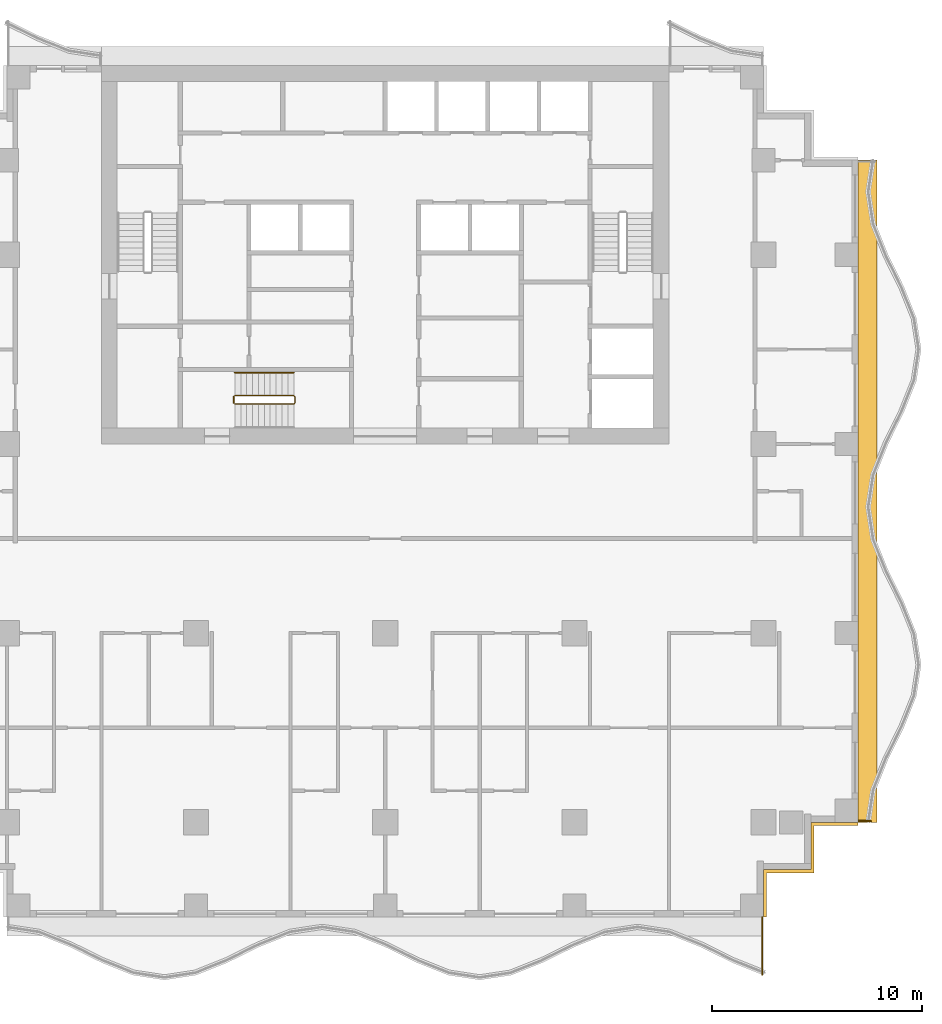
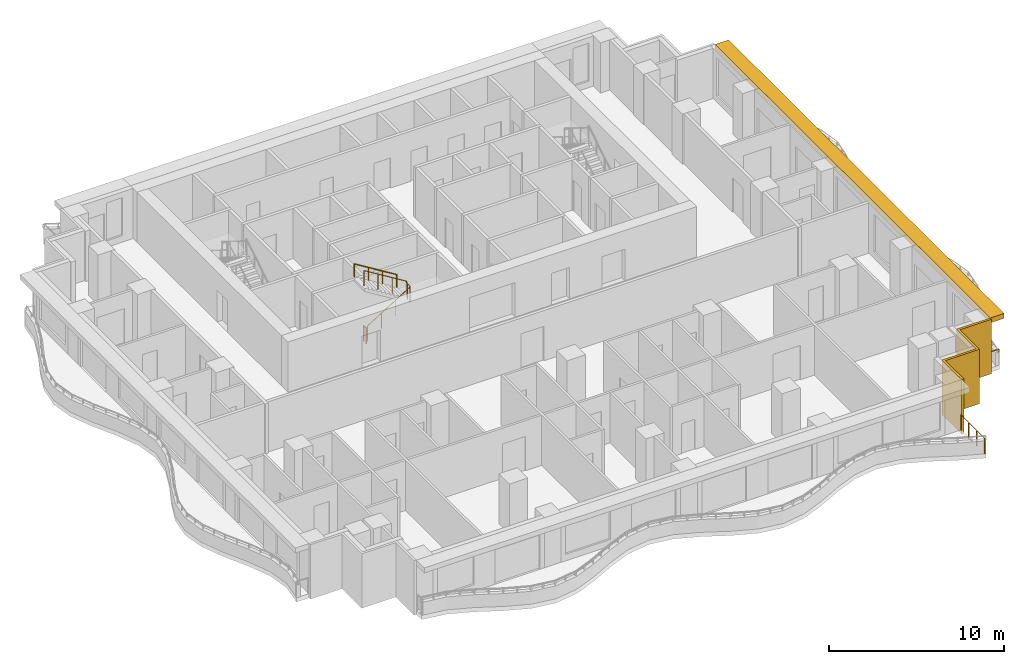
# One storey, part 8 of 10: 5 railings, 2 shading devices.
"""IFC4 building model written with IfcOpenShell, lengths in metres."""

import ifcopenshell
import ifcopenshell.guid

model = None  # the IFC model being written
_history = None  # IfcOwnerHistory: only IFC2X3 demands one
_inside = {}  # id of a spatial element -> (the spatial element, [elements in it])
_under = {}  # id of a project, library or spatial element -> (it, [spatial elements below it])
_declared = {}  # id of a project -> (the project, [libraries it declares])
_typed = {}  # id of a type object -> (the type object, [elements of that type])
_made_of = {}  # id of a material, layer set ... -> (it, [elements and type objects made of it])


def new_model(schema):
    """Start an empty IFC model of exactly this schema.

    Asked for "IFC4X3", IfcOpenShell would pick the latest addendum, in which some entities
    have other attributes; the version numbers below select the first issue.
    IFC2X3 requires an IfcOwnerHistory on every rooted entity: one is made here for all.
    """
    global model, _history
    if schema == "IFC4X3":
        model = ifcopenshell.file(schema_version=(4, 3, 0, 0))
    else:
        model = ifcopenshell.file(schema=schema)
    _inside.clear()
    _under.clear()
    _declared.clear()
    _typed.clear()
    _made_of.clear()
    _history = None
    if model.schema == "IFC2X3":
        org = make("IfcOrganization", Name="unknown")
        user = make(
            "IfcPersonAndOrganization",
            ThePerson=make("IfcPerson", FamilyName="unknown"),
            TheOrganization=org,
        )
        app = make(
            "IfcApplication",
            ApplicationDeveloper=org,
            Version="unknown",
            ApplicationFullName="unknown",
            ApplicationIdentifier="unknown",
        )
        _history = make(
            "IfcOwnerHistory",
            OwningUser=user,
            OwningApplication=app,
            ChangeAction="ADDED",
            CreationDate=0,
        )
    return model


def make(cls, **values):
    """One entity of the class cls with the attributes given. An attribute that is None is left unset."""
    return model.create_entity(
        cls, **{name: value for name, value in values.items() if value is not None}
    )


def rooted(cls, **values):
    """An entity with a GlobalId (a new one), such as an element, a storey or a relation."""
    return make(cls, GlobalId=ifcopenshell.guid.new(), OwnerHistory=_history, **values)


def si_unit(unit_type, name, prefix=None):
    """IfcSIUnit, for example si_unit("LENGTHUNIT", "METRE", prefix="MILLI")."""
    return make("IfcSIUnit", UnitType=unit_type, Prefix=prefix, Name=name)


def assignment(units):
    """IfcUnitAssignment: the units of a project."""
    return None if units is None else make("IfcUnitAssignment", Units=units)


def point(xyz):
    """IfcCartesianPoint."""
    return None if xyz is None else make("IfcCartesianPoint", Coordinates=xyz)


def direction(xyz):
    """IfcDirection."""
    return None if xyz is None else make("IfcDirection", DirectionRatios=xyz)


def frame(location, z_axis=None, x_axis=None):
    """IfcAxis2Placement3D, a coordinate frame: its origin and axes. An axis left out is left unset."""
    return make(
        "IfcAxis2Placement3D",
        Location=point(location),
        Axis=direction(z_axis),
        RefDirection=direction(x_axis),
    )


def frame_2d(location, x_axis=None):
    """IfcAxis2Placement2D, a coordinate frame in the plane: its origin and x axis."""
    return make(
        "IfcAxis2Placement2D", Location=point(location), RefDirection=direction(x_axis)
    )


def origin():
    """The frame at (0, 0, 0) with its axes left unset."""
    return frame((0.0, 0.0, 0.0))


def origin_2d():
    """The frame at (0, 0) in the plane with its x axis left unset."""
    return frame_2d((0.0, 0.0))


def place(relative_to, where):
    """IfcLocalPlacement: puts the frame where relative to a parent placement (None: the world)."""
    return make(
        "IfcLocalPlacement", PlacementRelTo=relative_to, RelativePlacement=where
    )


def context(
    kind, dimensions, precision=None, world=None, true_north=None, identifier=None
):
    """IfcGeometricRepresentationContext, for example the 3D "Model" context."""
    return make(
        "IfcGeometricRepresentationContext",
        ContextIdentifier=identifier,
        ContextType=kind,
        CoordinateSpaceDimension=dimensions,
        Precision=precision,
        WorldCoordinateSystem=world,
        TrueNorth=true_north,
    )


def subcontext(parent, identifier, kind, view, scale=None):
    """IfcGeometricRepresentationSubContext, for example "Body" below "Model"."""
    return make(
        "IfcGeometricRepresentationSubContext",
        ContextIdentifier=identifier,
        ContextType=kind,
        ParentContext=parent,
        TargetScale=scale,
        TargetView=view,
    )


def project(units=None, contexts=None):
    """IfcProject with its units and contexts."""
    return rooted(
        "IfcProject",
        Name="project",
        RepresentationContexts=contexts,
        UnitsInContext=assignment(units),
    )


def spatial(cls, under=None, at=None, **own):
    """A site, building, storey or space (cls), placed at a placement, below another one or the project."""
    s = rooted(cls, ObjectPlacement=at, **own)
    if under is not None:
        _under.setdefault(under.id(), (under, []))[1].append(s)
    return s


def polyline(points):
    """IfcPolyline through the points."""
    return make("IfcPolyline", Points=[point(p) for p in points])


def profile(cls, at=None, kind="AREA", **sizes):
    """A parametric profile (cls). Its sizes go by their IFC names, for example OverallWidth=200.0."""
    return make(cls, ProfileType=kind, Position=at, **sizes)


def rectangle(**sizes):
    """IfcRectangleProfileDef."""
    return profile("IfcRectangleProfileDef", **sizes)


def circle(**sizes):
    """IfcCircleProfileDef."""
    return profile("IfcCircleProfileDef", **sizes)


def outline(outer, holes=None, kind="AREA"):
    """IfcArbitraryClosedProfileDef: a profile drawn as a closed curve; with holes, ...WithVoids."""
    if holes is None:
        return make("IfcArbitraryClosedProfileDef", ProfileType=kind, OuterCurve=outer)
    return make(
        "IfcArbitraryProfileDefWithVoids",
        ProfileType=kind,
        OuterCurve=outer,
        InnerCurves=holes,
    )


def extrude(swept, where, along, depth):
    """IfcExtrudedAreaSolid: the profile swept, set in the frame where, extruded along a direction by depth."""
    return make(
        "IfcExtrudedAreaSolid",
        SweptArea=swept,
        Position=where,
        ExtrudedDirection=direction(along),
        Depth=depth,
    )


def shape(context_of_items, identifier, shape_type, items):
    """IfcShapeRepresentation: the items that make up one representation, for example the "Body"."""
    return make(
        "IfcShapeRepresentation",
        ContextOfItems=context_of_items,
        RepresentationIdentifier=identifier,
        RepresentationType=shape_type,
        Items=items,
    )


def material(Name=None, Category=None):
    """IfcMaterial."""
    return make("IfcMaterial", Name=Name, Category=Category)


def layer(
    of_material, thickness, ventilated=None, Name=None, Category=None, Priority=None
):
    """IfcMaterialLayer: one layer of a wall or slab, of a material (None: an air gap)."""
    return make(
        "IfcMaterialLayer",
        Material=of_material,
        LayerThickness=thickness,
        IsVentilated=ventilated,
        Name=Name,
        Category=Category,
        Priority=Priority,
    )


def layer_set(layers, Name=None):
    """IfcMaterialLayerSet."""
    return make("IfcMaterialLayerSet", MaterialLayers=layers, LayerSetName=Name)


def made_of(thing, what):
    """Note that an element or type object is made of a material, layer set ...; save() writes the relation."""
    if what is not None:
        _made_of.setdefault(what.id(), (what, []))[1].append(thing)
    return thing


def type_object(cls, material=None, **own):
    """A type object (cls), such as IfcWallType, which elements share."""
    return made_of(rooted(cls, **own), material)


def element(
    cls,
    number,
    at=None,
    inside=None,
    cuts=None,
    type_object=None,
    material=None,
    context=None,
    identifier="Body",
    shape_type=None,
    held_by="IfcProductDefinitionShape",
    body=None,
    shapes=None,
    **own,
):
    """One element of the class cls, such as IfcWall. Its Tag is "e" and its number.

    at: its placement. inside: the storey or other place that contains it. cuts: it is an
    opening in that element (IfcRelVoidsElement). A single representation is given by context,
    identifier, shape_type and body (its items); several are given by shapes. held_by: the class
    of the entity that holds the representations. save() writes the other relations.
    """
    e = rooted(cls, Tag="e%d" % number, ObjectPlacement=at, **own)
    if body is not None:
        shapes = [shape(context, identifier, shape_type, body)]
    if shapes is not None:
        e.Representation = make(held_by, Representations=shapes)
    if inside is not None:
        _inside.setdefault(inside.id(), (inside, []))[1].append(e)
    if cuts is not None:
        rooted(
            "IfcRelVoidsElement", RelatingBuildingElement=cuts, RelatedOpeningElement=e
        )
    if type_object is not None:
        _typed.setdefault(type_object.id(), (type_object, []))[1].append(e)
    return made_of(e, material)


def aggregate(whole, parts):
    """IfcRelAggregates: a whole, such as a stair, and the parts it consists of."""
    return rooted("IfcRelAggregates", RelatingObject=whole, RelatedObjects=parts)


def save(model, path):
    """Write the relations noted so far, then the file.

    IfcRelAggregates (storeys below a building ...), IfcRelContainedInSpatialStructure (elements
    in a storey), IfcRelDefinesByType, IfcRelAssociatesMaterial and IfcRelDeclares: one each for
    every whole, place, type object, material and project.
    """
    for whole, parts in _under.values():
        aggregate(whole, parts)
    for where, things in _inside.values():
        rooted(
            "IfcRelContainedInSpatialStructure",
            RelatedElements=things,
            RelatingStructure=where,
        )
    for kind, things in _typed.values():
        rooted("IfcRelDefinesByType", RelatedObjects=things, RelatingType=kind)
    for what, things in _made_of.values():
        rooted("IfcRelAssociatesMaterial", RelatedObjects=things, RelatingMaterial=what)
    for by, libraries in _declared.values():
        rooted("IfcRelDeclares", RelatingContext=by, RelatedDefinitions=libraries)
    model.write(path)


model = new_model("IFC4")

# Units and contexts
model_context = context("Model", 3, precision=1e-05, world=origin(), true_north=direction((0.0, 1.0)))
body_context = subcontext(model_context, "Body", "Model", "MODEL_VIEW")
ifc_project = project(units=[si_unit("LENGTHUNIT", "METRE"), si_unit("AREAUNIT", "SQUARE_METRE"), si_unit("VOLUMEUNIT", "CUBIC_METRE"), si_unit("PLANEANGLEUNIT", "RADIAN"), si_unit("MASSUNIT", "GRAM", prefix="KILO")], contexts=[model_context])

# Site, building, storey
site_placement = place(None, origin())
site = spatial("IfcSite", under=ifc_project, at=site_placement, CompositionType="ELEMENT")
building_placement = place(site_placement, origin())
building = spatial("IfcBuilding", under=site, at=building_placement, Name="Orbiselva Terraces", CompositionType="ELEMENT")
storey_placement = place(building_placement, frame((0.0, 0.0, 166.8)))
storey = spatial("IfcBuildingStorey", under=building, at=storey_placement, Name="L42", CompositionType="ELEMENT", Elevation=166.8)

# Railings
ifc_material_1 = material(Name="Stainless steel", Category="steel")
railing_type_1 = type_object("IfcRailingType", Name="CORE-GUARD-1100", PredefinedType="GUARDRAIL", material=ifc_material_1)
railing_1_placement = place(storey_placement, frame((-7.15, 6.4, 0.172727)))
element("IfcRailing", 1, at=railing_1_placement, inside=storey, type_object=railing_type_1, Name="L42 S3 stair guard 1", PredefinedType="GUARDRAIL", context=body_context, shape_type="SweptSolid", body=[
    extrude(circle(Radius=0.024, at=origin_2d()), frame((0.0, 0.0, 1.081), z_axis=(0.851088519012, 0.0, 0.52502222125), x_axis=(0.0, 1.0, 0.0)), (0.0, 0.0, 1.0), 3.289905),
    extrude(circle(Radius=0.024, at=origin_2d()), frame((2.8, 0.0, 2.808273), z_axis=(0.707106781187, 0.707106781187, 0.0), x_axis=(-0.707106781187, 0.707106781187, 0.0)), (0.0, 0.0, 1.0), 0.070711),
    extrude(circle(Radius=0.024, at=origin_2d()), frame((2.85, 0.05, 2.808273), z_axis=(0.0, 1.0, 0.0), x_axis=(-1.0, 0.0, 0.0)), (0.0, 0.0, 1.0), 0.3),
    extrude(circle(Radius=0.024, at=origin_2d()), frame((2.85, 0.35, 2.808273), z_axis=(-0.267894925557, 0.267894925557, 0.925453736133), x_axis=(-0.707106781187, -0.707106781187, 0.0)), (0.0, 0.0, 1.0), 0.18664),
    extrude(circle(Radius=0.024, at=origin_2d()), frame((2.8, 0.4, 2.981), z_axis=(-0.851088519012, 0.0, 0.52502222125), x_axis=(0.0, -1.0, 0.0)), (0.0, 0.0, 1.0), 3.289905),
    extrude(circle(Radius=0.021, at=origin_2d()), origin(), (0.0, 0.0, 1.0), 1.057),
    extrude(circle(Radius=0.021, at=origin_2d()), frame((0.933333, 0.0, 0.575758)), (0.0, 0.0, 1.0), 1.057),
    extrude(circle(Radius=0.021, at=origin_2d()), frame((1.866667, 0.0, 1.151515)), (0.0, 0.0, 1.0), 1.057),
    extrude(circle(Radius=0.021, at=origin_2d()), frame((2.8, 0.0, 1.727273)), (0.0, 0.0, 1.0), 1.057),
    extrude(circle(Radius=0.021, at=origin_2d()), frame((2.85, 0.05, 1.727273)), (0.0, 0.0, 1.0), 1.057),
    extrude(circle(Radius=0.021, at=origin_2d()), frame((2.85, 0.35, 1.727273)), (0.0, 0.0, 1.0), 1.057),
    extrude(circle(Radius=0.021, at=origin_2d()), frame((2.8, 0.4, 1.9)), (0.0, 0.0, 1.0), 1.057),
    extrude(circle(Radius=0.021, at=origin_2d()), frame((1.866667, 0.4, 2.475758)), (0.0, 0.0, 1.0), 1.057),
    extrude(circle(Radius=0.021, at=origin_2d()), frame((0.933333, 0.4, 3.051515)), (0.0, 0.0, 1.0), 1.057),
    extrude(circle(Radius=0.021, at=origin_2d()), frame((0.0, 0.4, 3.627273)), (0.0, 0.0, 1.0), 1.057),
])
railing_2_placement = place(storey_placement, frame((-7.2, 6.45, 0.0)))
element("IfcRailing", 2, at=railing_2_placement, inside=storey, type_object=railing_type_1, Name="L42 S3 stair guard 2", PredefinedType="GUARDRAIL", context=body_context, shape_type="SweptSolid", body=[
    extrude(circle(Radius=0.024, at=origin_2d()), frame((0.0, 0.0, 1.081), z_axis=(0.0, 1.0, 0.0), x_axis=(-1.0, 0.0, 0.0)), (0.0, 0.0, 1.0), 0.3),
    extrude(circle(Radius=0.021, at=origin_2d()), origin(), (0.0, 0.0, 1.0), 1.057),
    extrude(circle(Radius=0.021, at=origin_2d()), frame((0.0, 0.3, 0.0)), (0.0, 0.0, 1.0), 1.057),
])
railing_type_2 = type_object("IfcRailingType", Name="CORE-HANDRAIL-900", PredefinedType="HANDRAIL", material=ifc_material_1)
railing_3_placement = place(storey_placement, frame((-4.35, 7.9, 2.072727)))
element("IfcRailing", 3, at=railing_3_placement, inside=storey, type_object=railing_type_2, Name="L42 S3 stair handrail 2", PredefinedType="HANDRAIL", context=body_context, shape_type="SweptSolid", body=[
    extrude(circle(Radius=0.024, at=origin_2d()), frame((0.0, 0.0, 0.876), z_axis=(-0.851088519012, 0.0, 0.52502222125), x_axis=(0.0, -1.0, 0.0)), (0.0, 0.0, 1.0), 3.289905),
    extrude(circle(Radius=0.021, at=origin_2d()), origin(), (0.0, 0.0, 1.0), 0.852),
    extrude(circle(Radius=0.021, at=origin_2d()), frame((-0.933333, 0.0, 0.575758)), (0.0, 0.0, 1.0), 0.852),
    extrude(circle(Radius=0.021, at=origin_2d()), frame((-1.866667, 0.0, 1.151515)), (0.0, 0.0, 1.0), 0.852),
    extrude(circle(Radius=0.021, at=origin_2d()), frame((-2.8, 0.0, 1.727273)), (0.0, 0.0, 1.0), 0.852),
])
ifc_material_2 = material(Name="Stainless steel rail and posts", Category="steel")
railing_type_3 = type_object("IfcRailingType", Name="ENV-GUARD-1105", PredefinedType="BALUSTRADE", material=ifc_material_2)
railing_4_placement = place(storey_placement, frame((17.94, -20.752788, 0.0)))
element("IfcRailing", 4, at=railing_4_placement, inside=storey, type_object=railing_type_3, Name="Balcony end guard L42 S", PredefinedType="BALUSTRADE", context=body_context, shape_type="SweptSolid", body=[
    extrude(outline(polyline([(0.028868, 0.0), (0.014434, 0.025), (-0.014434, 0.025), (-0.028868, 0.0), (-0.014434, -0.025), (0.014434, -0.025), (0.028868, 0.0)])), frame((0.0, 0.0, 1.08), z_axis=(0.0, 1.0, 0.0), x_axis=(-1.0, 0.0, 0.0)), (0.0, 0.0, 1.0), 2.727788),
    extrude(rectangle(XDim=0.05, YDim=0.05, at=origin_2d()), origin(), (0.0, 0.0, 1.0), 1.055),
    extrude(rectangle(XDim=0.05, YDim=0.05, at=origin_2d()), frame((0.0, 0.909263, 0.0)), (0.0, 0.0, 1.0), 1.055),
    extrude(rectangle(XDim=0.05, YDim=0.05, at=origin_2d()), frame((0.0, 1.818525, 0.0)), (0.0, 0.0, 1.0), 1.055),
    extrude(rectangle(XDim=0.05, YDim=0.05, at=origin_2d()), frame((0.0, 2.727788, 0.0)), (0.0, 0.0, 1.0), 1.055),
])
railing_5_placement = place(storey_placement, frame((23.100379, -13.44, 0.0)))
element("IfcRailing", 5, at=railing_5_placement, inside=storey, type_object=railing_type_3, Name="Balcony end guard L42 E", PredefinedType="BALUSTRADE", context=body_context, shape_type="SweptSolid", body=[
    extrude(outline(polyline([(0.028868, 0.0), (0.014434, 0.025), (-0.014434, 0.025), (-0.028868, 0.0), (-0.014434, -0.025), (0.014434, -0.025), (0.028868, 0.0)])), frame((0.0, 0.0, 1.08), z_axis=(-1.0, 0.0, 0.0), x_axis=(0.0, -1.0, 0.0)), (0.0, 0.0, 1.0), 0.575379),
    extrude(rectangle(XDim=0.05, YDim=0.05, at=origin_2d()), origin(), (0.0, 0.0, 1.0), 1.055),
    extrude(rectangle(XDim=0.05, YDim=0.05, at=origin_2d()), frame((-0.575379, 0.0, 0.0)), (0.0, 0.0, 1.0), 1.055),
])

# Shading devices
ifc_material_3 = material(Name="Terracotta louvre screen", Category="masonry")
ifc_layer_1 = layer(ifc_material_3, 0.15)
ifc_layer_set_1 = layer_set([ifc_layer_1], Name="Terracotta louvre screen")
shading_device_type_1 = type_object("IfcShadingDeviceType", Name="ENV-SCREEN-150", PredefinedType="USERDEFINED", material=ifc_layer_set_1)
shading_device_1_placement = place(storey_placement, frame((0.0, 0.0, -0.3)))
element("IfcShadingDevice", 6, at=shading_device_1_placement, inside=storey, type_object=shading_device_type_1, Name="Louvre screen L42 SE", ObjectType="SCREEN", PredefinedType="USERDEFINED", context=body_context, shape_type="SweptSolid", body=[
    extrude(outline(polyline([(18.15, -18.0), (18.15, -15.9), (20.4, -15.9), (20.4, -13.65), (22.5, -13.65), (22.5, -13.5), (20.25, -13.5), (20.25, -15.75), (18.0, -15.75), (18.0, -18.0), (18.15, -18.0)])), origin(), (0.0, 0.0, 1.0), 3.8),
])
ifc_material_4 = material(Name="Terracotta baguette sunshade", Category="masonry")
ifc_layer_2 = layer(ifc_material_4, 0.35)
ifc_layer_set_2 = layer_set([ifc_layer_2], Name="Terracotta baguette sunshade")
shading_device_type_2 = type_object("IfcShadingDeviceType", Name="ENV-SUNSHADE-900x350", PredefinedType="USERDEFINED", material=ifc_layer_set_2)
shading_device_2_placement = place(storey_placement, frame((0.0, 0.0, 3.15)))
element("IfcShadingDevice", 7, at=shading_device_2_placement, inside=storey, type_object=shading_device_type_2, Name="Sunshade band L42 E", ObjectType="SUNSHADE", PredefinedType="USERDEFINED", context=body_context, shape_type="SweptSolid", body=[
    extrude(outline(polyline([(23.4, -13.5), (23.4, 18.0), (22.5, 18.0), (22.5, -13.5), (23.4, -13.5)])), origin(), (0.0, 0.0, 1.0), 0.35),
])

save(model, "model.ifc")
